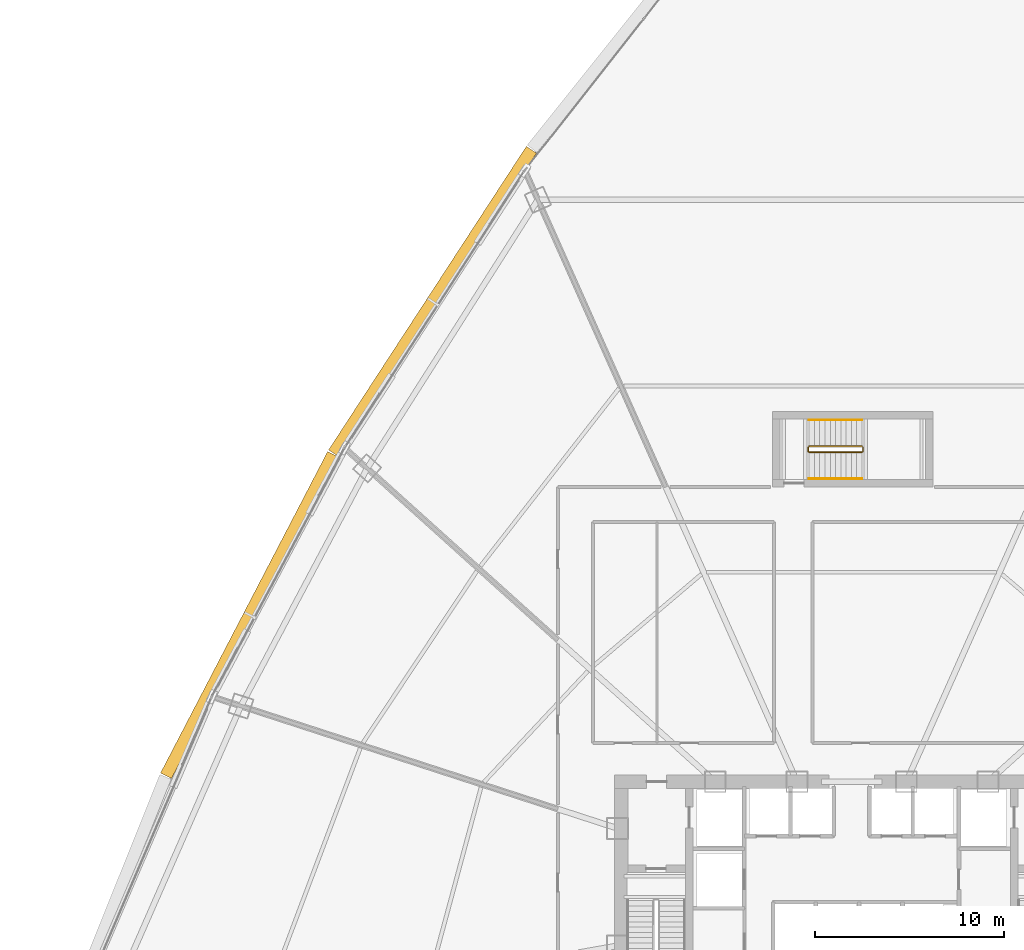
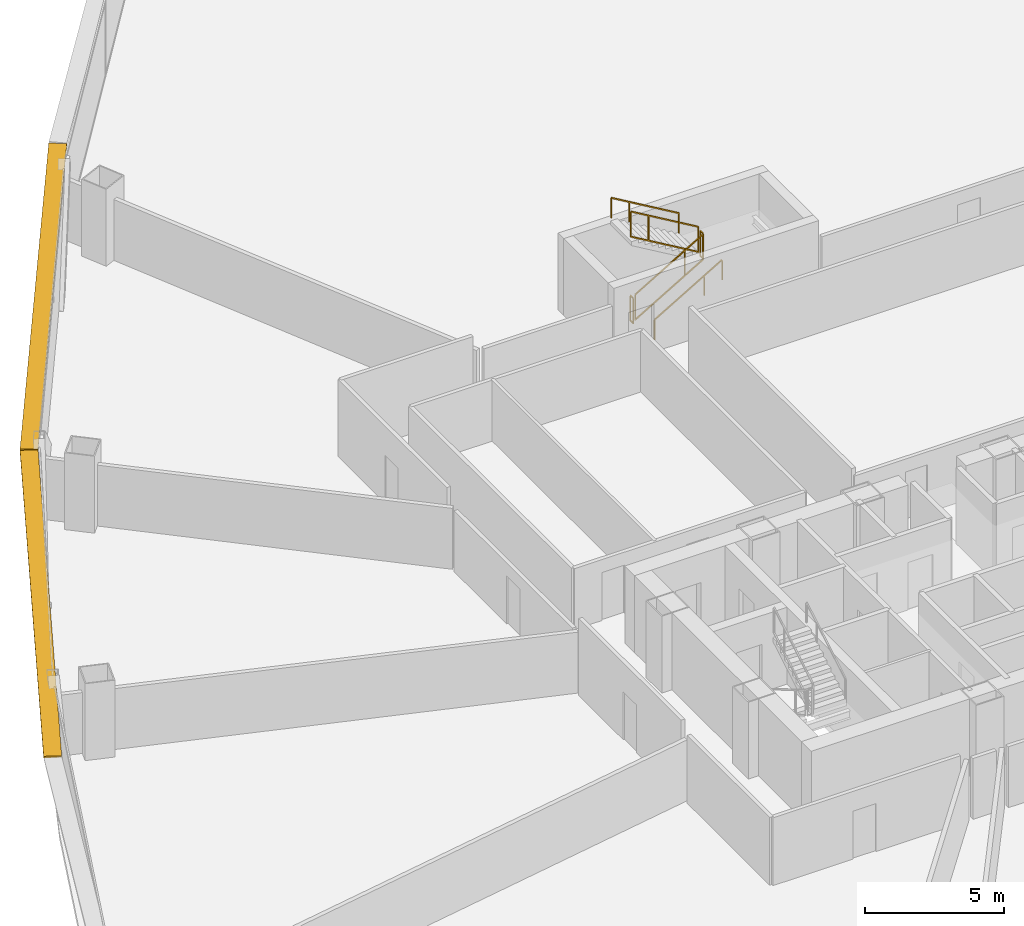
# One storey, part 41 of 42: 6 railings, 2 shading devices.
"""IFC4 building model written with IfcOpenShell, lengths in metres."""

from ifc_helpers import new_model, si_unit, direction, frame, origin, origin_2d, place, context, subcontext, project, spatial, rectangle, extrude, source, transform, mapped, material, layer, layer_set, type_object, element, save


model = new_model("IFC4")

# Units and contexts
model_context = context("Model", 3, precision=1e-05, world=origin(), true_north=direction((0.0, 1.0)))
body_context = subcontext(model_context, "Body", "Model", "MODEL_VIEW")
ifc_project = project(units=[si_unit("LENGTHUNIT", "METRE"), si_unit("AREAUNIT", "SQUARE_METRE"), si_unit("VOLUMEUNIT", "CUBIC_METRE"), si_unit("PLANEANGLEUNIT", "RADIAN"), si_unit("MASSUNIT", "GRAM", prefix="KILO"), si_unit("THERMODYNAMICTEMPERATUREUNIT", "KELVIN"), si_unit("POWERUNIT", "WATT")], contexts=[model_context])

# Site, building, storey
site_placement = place(None, origin())
site = spatial("IfcSite", under=ifc_project, at=site_placement, CompositionType="ELEMENT")
building_placement = place(site_placement, origin())
building = spatial("IfcBuilding", under=site, at=building_placement, Name="Yunzhuo Pagoda Commons", CompositionType="ELEMENT")
storey_placement = place(building_placement, frame((0.0, 0.0, 44.919921875)))
storey = spatial("IfcBuildingStorey", under=building, at=storey_placement, Name="L11", CompositionType="ELEMENT", Elevation=44.919921875)

# Railings
ifc_material = material(Name="Anodized aluminium 6063-T6", Category="aluminium")
railing_type_1 = type_object("IfcRailingType", Name="GR-ST3 North Well Guardrail 1155", PredefinedType="GUARDRAIL", material=ifc_material)
railing_1_placement = place(storey_placement, frame((45.75, 57.64990234375, 0.1650390625)))
element("IfcRailing", 1, at=railing_1_placement, inside=storey, type_object=railing_type_1, Name="L11 ST3 stair guard 1", PredefinedType="GUARDRAIL", context=body_context, shape_type="SweptSolid", body=[
    extrude(rectangle(XDim=0.048095703125, YDim=0.048095703125, at=origin_2d()), frame((0.0, 0.0, 1.1259765625), z_axis=(0.86152261977, 0.0, 0.507719189732), x_axis=(0.0, 1.0, 0.0)), (0.0, 0.0, 1.0), 3.25),
    extrude(rectangle(XDim=0.048095703125, YDim=0.048095703125, at=origin_2d()), frame((0.0, 0.0, 0.02392578125), z_axis=(0.86152261977, 0.0, 0.507719189732), x_axis=(0.0, 1.0, 0.0)), (0.0, 0.0, 1.0), 3.25),
    extrude(rectangle(XDim=0.0419921875, YDim=0.0419921875, at=origin_2d()), origin(), (0.0, 0.0, 1.0), 1.101806640625),
    extrude(rectangle(XDim=0.0419921875, YDim=0.0419921875, at=origin_2d()), frame((2.067626953125, 0.0, 1.218505859375)), (0.0, 0.0, 1.0), 1.101806640625),
    extrude(rectangle(XDim=0.0419921875, YDim=0.0419921875, at=origin_2d()), frame((2.800048828125, 0.0, 1.650146484375)), (0.0, 0.0, 1.0), 1.101806640625),
])
railing_2_placement = place(storey_placement, frame((48.60009765625, 57.699951171875, 1.815185546875)))
element("IfcRailing", 2, at=railing_2_placement, inside=storey, type_object=railing_type_1, Name="L11 ST3 stair guard 2", PredefinedType="GUARDRAIL", context=body_context, shape_type="SweptSolid", body=[
    extrude(rectangle(XDim=0.048095703125, YDim=0.048095703125, at=origin_2d()), frame((0.0, 0.0, 1.1259765625), z_axis=(0.0, 1.0, 0.0), x_axis=(-1.0, 0.0, 0.0)), (0.0, 0.0, 1.0), 0.199951171875),
    extrude(rectangle(XDim=0.048095703125, YDim=0.048095703125, at=origin_2d()), frame((0.0, 0.0, 0.02392578125), z_axis=(0.0, 1.0, 0.0), x_axis=(-1.0, 0.0, 0.0)), (0.0, 0.0, 1.0), 0.199951171875),
    extrude(rectangle(XDim=0.0419921875, YDim=0.0419921875, at=origin_2d()), origin(), (0.0, 0.0, 1.0), 1.101806640625),
    extrude(rectangle(XDim=0.0419921875, YDim=0.0419921875, at=origin_2d()), frame((0.0, 0.199951171875, 0.0)), (0.0, 0.0, 1.0), 1.101806640625),
])
railing_3_placement = place(storey_placement, frame((48.550048828125, 57.949951171875, 1.97998046875)))
element("IfcRailing", 3, at=railing_3_placement, inside=storey, type_object=railing_type_1, Name="L11 ST3 stair guard 3", PredefinedType="GUARDRAIL", context=body_context, shape_type="SweptSolid", body=[
    extrude(rectangle(XDim=0.048095703125, YDim=0.048095703125, at=origin_2d()), frame((0.0, 0.0, 1.1259765625), z_axis=(-0.86152261977, 0.0, 0.507719189732), x_axis=(0.0, -1.0, 0.0)), (0.0, 0.0, 1.0), 3.25),
    extrude(rectangle(XDim=0.048095703125, YDim=0.048095703125, at=origin_2d()), frame((0.0, 0.0, 0.02392578125), z_axis=(-0.86152261977, 0.0, 0.507719189732), x_axis=(0.0, -1.0, 0.0)), (0.0, 0.0, 1.0), 3.25),
    extrude(rectangle(XDim=0.0419921875, YDim=0.0419921875, at=origin_2d()), origin(), (0.0, 0.0, 1.0), 1.101806640625),
    extrude(rectangle(XDim=0.0419921875, YDim=0.0419921875, at=origin_2d()), frame((-2.067626953125, 0.0, 1.218505859375)), (0.0, 0.0, 1.0), 1.101806640625),
    extrude(rectangle(XDim=0.0419921875, YDim=0.0419921875, at=origin_2d()), frame((-2.800048828125, 0.0, 1.650146484375)), (0.0, 0.0, 1.0), 1.101806640625),
])
railing_4_placement = place(storey_placement, frame((45.699951171875, 57.699951171875, 0.0)))
element("IfcRailing", 4, at=railing_4_placement, inside=storey, type_object=railing_type_1, Name="L11 ST3 stair guard 4", PredefinedType="GUARDRAIL", context=body_context, shape_type="SweptSolid", body=[
    extrude(rectangle(XDim=0.048095703125, YDim=0.048095703125, at=origin_2d()), frame((0.0, 0.0, 1.1259765625), z_axis=(0.0, 1.0, 0.0), x_axis=(-1.0, 0.0, 0.0)), (0.0, 0.0, 1.0), 0.199951171875),
    extrude(rectangle(XDim=0.048095703125, YDim=0.048095703125, at=origin_2d()), frame((0.0, 0.0, 0.02392578125), z_axis=(0.0, 1.0, 0.0), x_axis=(-1.0, 0.0, 0.0)), (0.0, 0.0, 1.0), 0.199951171875),
    extrude(rectangle(XDim=0.0419921875, YDim=0.0419921875, at=origin_2d()), origin(), (0.0, 0.0, 1.0), 1.101806640625),
    extrude(rectangle(XDim=0.0419921875, YDim=0.0419921875, at=origin_2d()), frame((0.0, 0.199951171875, 0.0)), (0.0, 0.0, 1.0), 1.101806640625),
])
railing_type_2 = type_object("IfcRailingType", Name="HR-ST3 North Stair Handrail 900", PredefinedType="HANDRAIL", material=ifc_material)
railing_5_placement = place(storey_placement, frame((45.75, 56.25, 0.1650390625)))
element("IfcRailing", 5, at=railing_5_placement, inside=storey, type_object=railing_type_2, Name="L11 ST3 stair handrail 1", PredefinedType="HANDRAIL", context=body_context, shape_type="SweptSolid", body=[
    extrude(rectangle(XDim=0.048095703125, YDim=0.048095703125, at=origin_2d()), frame((0.0, 0.0, 0.8759765625), z_axis=(0.86152261977, 0.0, 0.507719189732), x_axis=(0.0, 1.0, 0.0)), (0.0, 0.0, 1.0), 3.25),
    extrude(rectangle(XDim=0.0419921875, YDim=0.0419921875, at=origin_2d()), origin(), (0.0, 0.0, 1.0), 0.851806640625),
    extrude(rectangle(XDim=0.0419921875, YDim=0.0419921875, at=origin_2d()), frame((2.067626953125, 0.0, 1.218505859375)), (0.0, 0.0, 1.0), 0.851806640625),
    extrude(rectangle(XDim=0.0419921875, YDim=0.0419921875, at=origin_2d()), frame((2.800048828125, 0.0, 1.650146484375)), (0.0, 0.0, 1.0), 0.851806640625),
])
railing_6_placement = place(storey_placement, frame((48.550048828125, 59.35009765625, 1.97998046875)))
element("IfcRailing", 6, at=railing_6_placement, inside=storey, type_object=railing_type_2, Name="L11 ST3 stair handrail 2", PredefinedType="HANDRAIL", context=body_context, shape_type="SweptSolid", body=[
    extrude(rectangle(XDim=0.048095703125, YDim=0.048095703125, at=origin_2d()), frame((0.0, 0.0, 0.8759765625), z_axis=(-0.86152261977, 0.0, 0.507719189732), x_axis=(0.0, -1.0, 0.0)), (0.0, 0.0, 1.0), 3.25),
    extrude(rectangle(XDim=0.0419921875, YDim=0.0419921875, at=origin_2d()), origin(), (0.0, 0.0, 1.0), 0.851806640625),
    extrude(rectangle(XDim=0.0419921875, YDim=0.0419921875, at=origin_2d()), frame((-2.067626953125, 0.0, 1.218505859375)), (0.0, 0.0, 1.0), 0.851806640625),
    extrude(rectangle(XDim=0.0419921875, YDim=0.0419921875, at=origin_2d()), frame((-2.800048828125, 0.0, 1.650146484375)), (0.0, 0.0, 1.0), 0.851806640625),
])

# Shading devices
ifc_layer = layer(ifc_material, 0.080078125)
ifc_layer_set = layer_set([ifc_layer], Name="Anodized aluminium 6063-T6")
shading_device_type = type_object("IfcShadingDeviceType", Name="SH-SUN1 Pagoda Horizontal Sunshade Eave 650", PredefinedType="USERDEFINED", material=ifc_layer_set)
shared_shape = source(origin(), body_context, "Body", "SweptSolid", [
    extrude(rectangle(XDim=19.1787109375, YDim=0.64990234375, at=origin_2d()), origin(), (0.0, 0.0, 1.0), 0.080078125),
])
for number, where, z_axis, x_axis, name in (
    (7, (25.813232421875, 65.62158203125, 3.2900390625), (0.0, 0.0, 1.0), (-0.545853380833, -0.837880711458, 0.0), "L11 horizontal pagoda sunshade eave F3.2"),
    (8, (16.124267578125, 49.023681640625, 3.2900390625), (0.0, 0.0, 1.0), (-0.461206683033, -0.88729273384, 0.0), "L11 horizontal pagoda sunshade eave F3.3"),
):
    element("IfcShadingDevice", number, at=place(storey_placement, frame(where, z_axis=z_axis, x_axis=x_axis)), inside=storey, type_object=shading_device_type, Name=name, ObjectType="SUNSHADE", PredefinedType="USERDEFINED", context=body_context, shape_type="MappedRepresentation", body=[
        mapped(shared_shape, transform((0.0, 0.0, 0.0), scale=1.0)),
    ])

save(model, "model.ifc")
